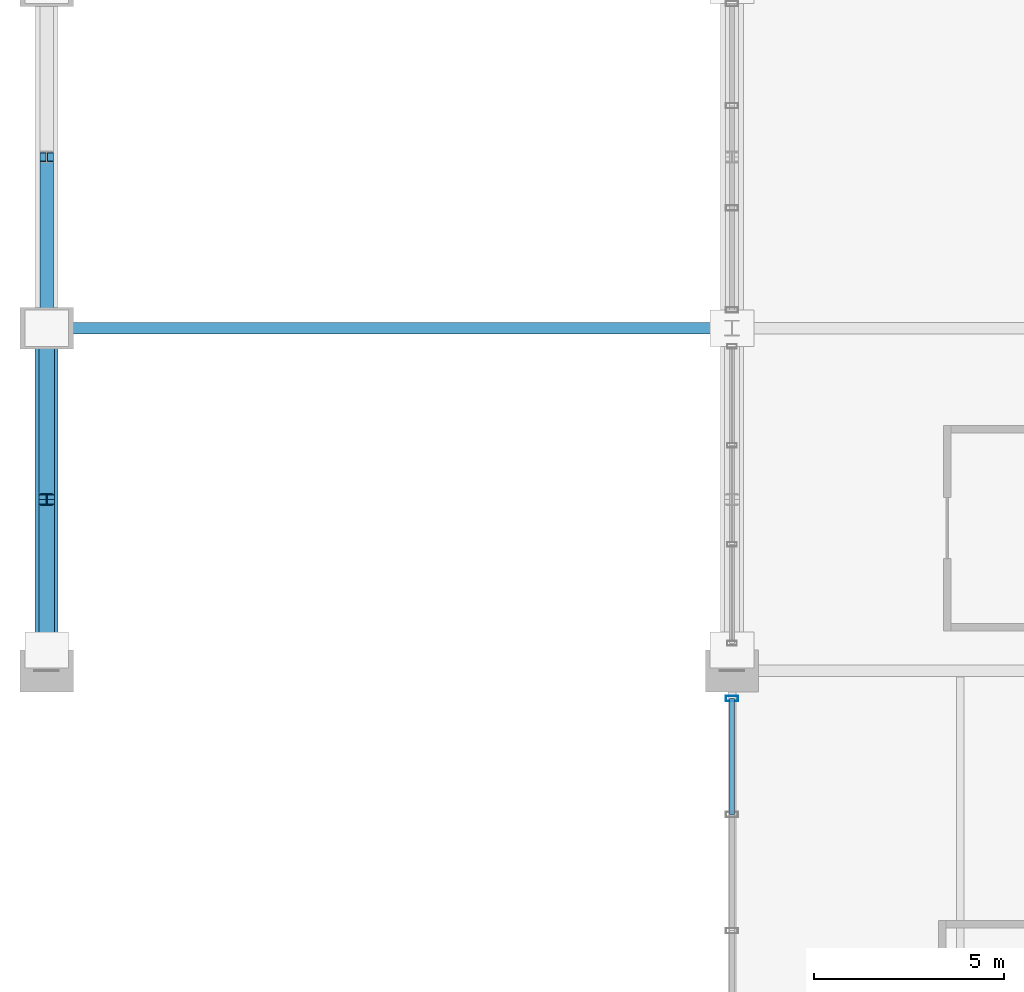
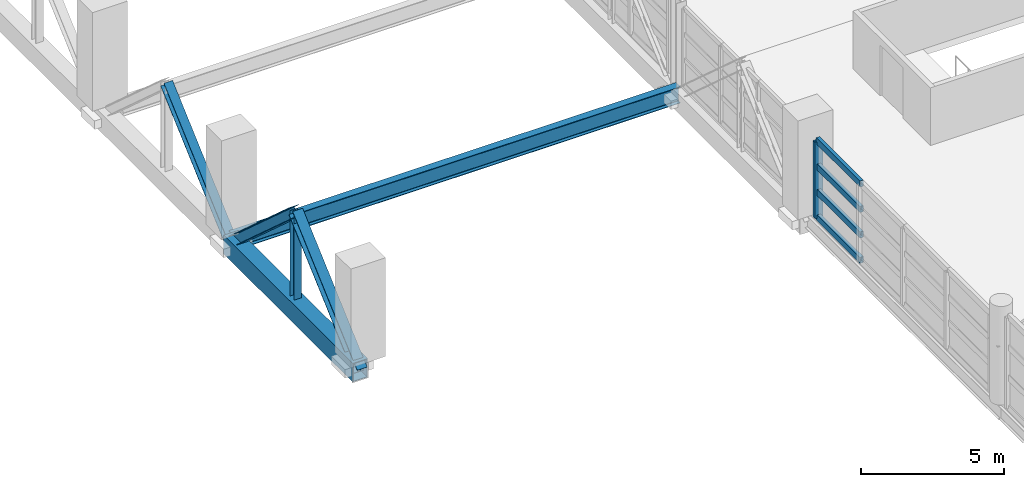
# One storey, part 24 of 136: 9 members, 2 beams, 1 element without a shape of its own.
"""IFC4 building model written with IfcOpenShell, lengths in metres."""

from ifc_helpers import new_model, si_unit, direction, frame, origin, origin_2d, place, context, subcontext, project, spatial, hollow_rectangle, i_section, extrude, material, material_profile, profile_set, type_object, element, aggregate, save


model = new_model("IFC4")

# Units and contexts
model_context = context("Model", 3, precision=1e-05, world=origin(), true_north=direction((0.0, 1.0)))
body_context = subcontext(model_context, "Body", "Model", "MODEL_VIEW")
ifc_project = project(units=[si_unit("LENGTHUNIT", "METRE"), si_unit("AREAUNIT", "SQUARE_METRE"), si_unit("VOLUMEUNIT", "CUBIC_METRE"), si_unit("PLANEANGLEUNIT", "RADIAN"), si_unit("MASSUNIT", "GRAM", prefix="KILO")], contexts=[model_context])

# Site, building, storey
site_placement = place(None, origin())
site = spatial("IfcSite", under=ifc_project, at=site_placement, CompositionType="ELEMENT")
building_placement = place(site_placement, origin())
building = spatial("IfcBuilding", under=site, at=building_placement, Name="Chuanluo Vaults Station", CompositionType="ELEMENT")
storey_placement = place(building_placement, frame((0.0, 0.0, 6.60009765625)))
storey = spatial("IfcBuildingStorey", under=building, at=storey_placement, Name="L01", CompositionType="ELEMENT", Elevation=6.60009765625)

# Beams
ifc_material_1 = material(Name="Steel Q355C", Category="steel")
ifc_material_profile_1 = material_profile(ifc_material_1, i_section(OverallWidth=0.300048828125, OverallDepth=0.699951171875, WebThickness=0.012939453125, FlangeThickness=0.02392578125, FilletRadius=0.02197265625, at=origin_2d()))
ifc_profile_set_1 = profile_set([ifc_material_profile_1], Name="Steel Q355C")
beam_type_1 = type_object("IfcBeamType", Name="BM-GRD-700", PredefinedType="USERDEFINED", material=ifc_profile_set_1)
beam_1_placement = place(storey_placement, frame((0.0, 76.5, -0.630126953125), z_axis=(1.0, 0.0, 0.0), x_axis=(0.0, 1.0, 0.0)))
element("IfcBeam", 1, at=beam_1_placement, inside=storey, type_object=beam_type_1, Name="Over-track concourse floor girder 1-76", ObjectType="GIRDER", PredefinedType="USERDEFINED", context=body_context, shape_type="SweptSolid", body=[
    extrude(i_section(OverallWidth=0.300048828125, OverallDepth=0.699951171875, WebThickness=0.012939453125, FlangeThickness=0.02392578125, FilletRadius=0.02197265625, at=origin_2d()), origin(), (0.0, 0.0, 1.0), 18.0),
])
ifc_material_2 = material(Name="Steel Q390C", Category="steel")
ifc_material_profile_2 = material_profile(ifc_material_2, hollow_rectangle(XDim=0.60009765625, YDim=0.800048828125, WallThickness=0.031982421875, at=origin_2d()))
ifc_profile_set_2 = profile_set([ifc_material_profile_2], Name="Steel Q390C")
beam_type_2 = type_object("IfcBeamType", Name="BM-TT-BOT", PredefinedType="USERDEFINED", material=ifc_profile_set_2)
beam_2_placement = place(storey_placement, frame((0.0, 67.5, -0.68017578125), z_axis=(0.0, 1.0, 0.0), x_axis=(-1.0, 0.0, 0.0)))
element("IfcBeam", 2, at=beam_2_placement, inside=storey, type_object=beam_type_2, Name="Transfer truss TT-1 bottom chord 1", ObjectType="GIRDER", PredefinedType="USERDEFINED", context=body_context, shape_type="SweptSolid", body=[
    extrude(hollow_rectangle(XDim=0.60009765625, YDim=0.800048828125, WallThickness=0.031982421875, at=origin_2d()), origin(), (0.0, 0.0, 1.0), 9.0),
])

# Curtain wall, members
ifc_material_3 = material(Name="Anodised aluminium 6063-T6", Category="aluminium")
curtain_wall_type = type_object("IfcCurtainWallType", Name="CW-SYS-21", PredefinedType="NOTDEFINED", material=ifc_material_3)
curtain_wall_placement = place(storey_placement, origin())
curtain_wall = element("IfcCurtainWall", 3, at=curtain_wall_placement, inside=storey, type_object=curtain_wall_type, Name="Over-track west hall CW 54", PredefinedType="NOTDEFINED")
ifc_material_4 = material(Name="Anodised aluminium 6063-T6", Category="aluminium")
ifc_material_profile_3 = material_profile(ifc_material_4, hollow_rectangle(XDim=0.139892578125, YDim=0.320068359375, WallThickness=0.008056640625, at=origin_2d()))
ifc_profile_set_3 = profile_set([ifc_material_profile_3], Name="Anodised aluminium 6063-T6")
member_type_1 = type_object("IfcMemberType", Name="CWM-220", PredefinedType="MULLION", material=ifc_profile_set_3)
member_1_placement = place(storey_placement, frame((18.0, 66.77490234375, 0.0), z_axis=(0.0, 0.0, 1.0), x_axis=(0.0, 1.0, 0.0)))
member_1 = element("IfcMember", 4, at=member_1_placement, type_object=member_type_1, Name="Over-track west hall CW 54 mullion 5", PredefinedType="MULLION", context=body_context, shape_type="SweptSolid", body=[
    extrude(hollow_rectangle(XDim=0.139892578125, YDim=0.320068359375, WallThickness=0.008056640625, at=origin_2d()), origin(), (0.0, 0.0, 1.0), 3.25),
])
ifc_material_5 = material(Name="Anodised aluminium 6063-T6", Category="aluminium")
ifc_material_profile_4 = material_profile(ifc_material_5, hollow_rectangle(XDim=0.139892578125, YDim=0.260009765625, WallThickness=0.007080078125, at=origin_2d()))
ifc_profile_set_4 = profile_set([ifc_material_profile_4], Name="Anodised aluminium 6063-T6")
member_type_2 = type_object("IfcMemberType", Name="CWT-180", PredefinedType="USERDEFINED", material=ifc_profile_set_4)
member_2_placement = place(storey_placement, frame((18.0, 63.72509765625, 0.0), z_axis=(0.0, 1.0, 0.0), x_axis=(-1.0, 0.0, 0.0)))
member_2 = element("IfcMember", 5, at=member_2_placement, type_object=member_type_2, Name="Over-track west hall CW 54 transom 4.1", ObjectType="TRANSOM", PredefinedType="USERDEFINED", context=body_context, shape_type="SweptSolid", body=[
    extrude(hollow_rectangle(XDim=0.139892578125, YDim=0.260009765625, WallThickness=0.007080078125, at=origin_2d()), origin(), (0.0, 0.0, 1.0), 3.0498046875),
])
member_3_placement = place(storey_placement, frame((18.0, 63.72509765625, 1.083251953125), z_axis=(0.0, 1.0, 0.0), x_axis=(-1.0, 0.0, 0.0)))
member_3 = element("IfcMember", 6, at=member_3_placement, type_object=member_type_2, Name="Over-track west hall CW 54 transom 4.2", ObjectType="TRANSOM", PredefinedType="USERDEFINED", context=body_context, shape_type="SweptSolid", body=[
    extrude(hollow_rectangle(XDim=0.139892578125, YDim=0.260009765625, WallThickness=0.007080078125, at=origin_2d()), origin(), (0.0, 0.0, 1.0), 3.0498046875),
])
member_4_placement = place(storey_placement, frame((18.0, 63.72509765625, 2.16650390625), z_axis=(0.0, 1.0, 0.0), x_axis=(-1.0, 0.0, 0.0)))
member_4 = element("IfcMember", 7, at=member_4_placement, type_object=member_type_2, Name="Over-track west hall CW 54 transom 4.3", ObjectType="TRANSOM", PredefinedType="USERDEFINED", context=body_context, shape_type="SweptSolid", body=[
    extrude(hollow_rectangle(XDim=0.139892578125, YDim=0.260009765625, WallThickness=0.007080078125, at=origin_2d()), origin(), (0.0, 0.0, 1.0), 3.0498046875),
])
member_5_placement = place(storey_placement, frame((18.0, 63.72509765625, 3.25), z_axis=(0.0, 1.0, 0.0), x_axis=(-1.0, 0.0, 0.0)))
member_5 = element("IfcMember", 8, at=member_5_placement, type_object=member_type_2, Name="Over-track west hall CW 54 transom 4.4", ObjectType="TRANSOM", PredefinedType="USERDEFINED", context=body_context, shape_type="SweptSolid", body=[
    extrude(hollow_rectangle(XDim=0.139892578125, YDim=0.260009765625, WallThickness=0.007080078125, at=origin_2d()), origin(), (0.0, 0.0, 1.0), 3.0498046875),
])
aggregate(curtain_wall, [member_1, member_2, member_3, member_4, member_5])

# Members
ifc_material_6 = material(Name="Steel Q390C", Category="steel")
ifc_material_profile_5 = material_profile(ifc_material_6, i_section(OverallWidth=0.35009765625, OverallDepth=0.35009765625, WebThickness=0.011962890625, FlangeThickness=0.01904296875, FilletRadius=0.02001953125, at=origin_2d()))
ifc_profile_set_5 = profile_set([ifc_material_profile_5], Name="Steel Q390C")
member_type_3 = type_object("IfcMemberType", Name="MEM-DIAG-350", PredefinedType="BRACE", material=ifc_profile_set_5)
member_6_placement = place(storey_placement, frame((0.0, 76.5, -0.68017578125), z_axis=(0.0, 0.744935757439, 0.667136205949), x_axis=(-1.0, 0.0, 0.0)))
element("IfcMember", 9, at=member_6_placement, inside=storey, type_object=member_type_3, Name="Transfer truss TT-1 diagonal 2A", PredefinedType="BRACE", context=body_context, shape_type="SweptSolid", body=[
    extrude(i_section(OverallWidth=0.35009765625, OverallDepth=0.35009765625, WebThickness=0.011962890625, FlangeThickness=0.01904296875, FilletRadius=0.02001953125, at=origin_2d()), origin(), (0.0, 0.0, 1.0), 6.040771484375),
])
ifc_material_7 = material(Name="Steel Q390C", Category="steel")
ifc_material_profile_6 = material_profile(ifc_material_7, i_section(OverallWidth=0.39990234375, OverallDepth=0.407958984375, WebThickness=0.02099609375, FlangeThickness=0.02099609375, FilletRadius=0.02197265625, at=origin_2d()))
ifc_profile_set_6 = profile_set([ifc_material_profile_6], Name="Steel Q390C")
member_type_4 = type_object("IfcMemberType", Name="MEM-DIAG-408", PredefinedType="BRACE", material=ifc_profile_set_6)
for number, where, z_axis, x_axis, name in (
    (10, (0.0, 67.5, -0.68017578125), (0.0, 0.744935757439, 0.667136205949), (-1.0, 0.0, 0.0), "Transfer truss TT-1 diagonal 1A"),
    (11, (0.0, 72.0, 3.349853515625), (0.0, 0.744935757439, -0.667136205949), (-1.0, 0.0, 0.0), "Transfer truss TT-1 diagonal 1B"),
):
    element("IfcMember", number, at=place(storey_placement, frame(where, z_axis=z_axis, x_axis=x_axis)), inside=storey, type_object=member_type_4, Name=name, PredefinedType="BRACE", context=body_context, shape_type="SweptSolid", body=[
        extrude(i_section(OverallWidth=0.39990234375, OverallDepth=0.407958984375, WebThickness=0.02099609375, FlangeThickness=0.02099609375, FilletRadius=0.02197265625, at=origin_2d()), origin(), (0.0, 0.0, 1.0), 6.040771484375),
    ])
ifc_material_8 = material(Name="Steel Q390C", Category="steel")
ifc_material_profile_7 = material_profile(ifc_material_8, i_section(OverallWidth=0.300048828125, OverallDepth=0.300048828125, WebThickness=0.010009765625, FlangeThickness=0.014892578125, FilletRadius=0.01806640625, at=origin_2d()))
ifc_profile_set_7 = profile_set([ifc_material_profile_7], Name="Steel Q390C")
member_type_5 = type_object("IfcMemberType", Name="MEM-VERT-300", PredefinedType="POST", material=ifc_profile_set_7)
member_7_placement = place(storey_placement, frame((0.0, 72.0, -0.68017578125), z_axis=(0.0, 0.0, 1.0), x_axis=(1.0, 0.0, 0.0)))
element("IfcMember", 12, at=member_7_placement, inside=storey, type_object=member_type_5, Name="Transfer truss TT-1 mid-panel hanger 1", PredefinedType="POST", context=body_context, shape_type="SweptSolid", body=[
    extrude(i_section(OverallWidth=0.300048828125, OverallDepth=0.300048828125, WebThickness=0.010009765625, FlangeThickness=0.014892578125, FilletRadius=0.01806640625, at=origin_2d()), origin(), (0.0, 0.0, 1.0), 4.030029296875),
])

save(model, "model.ifc")
